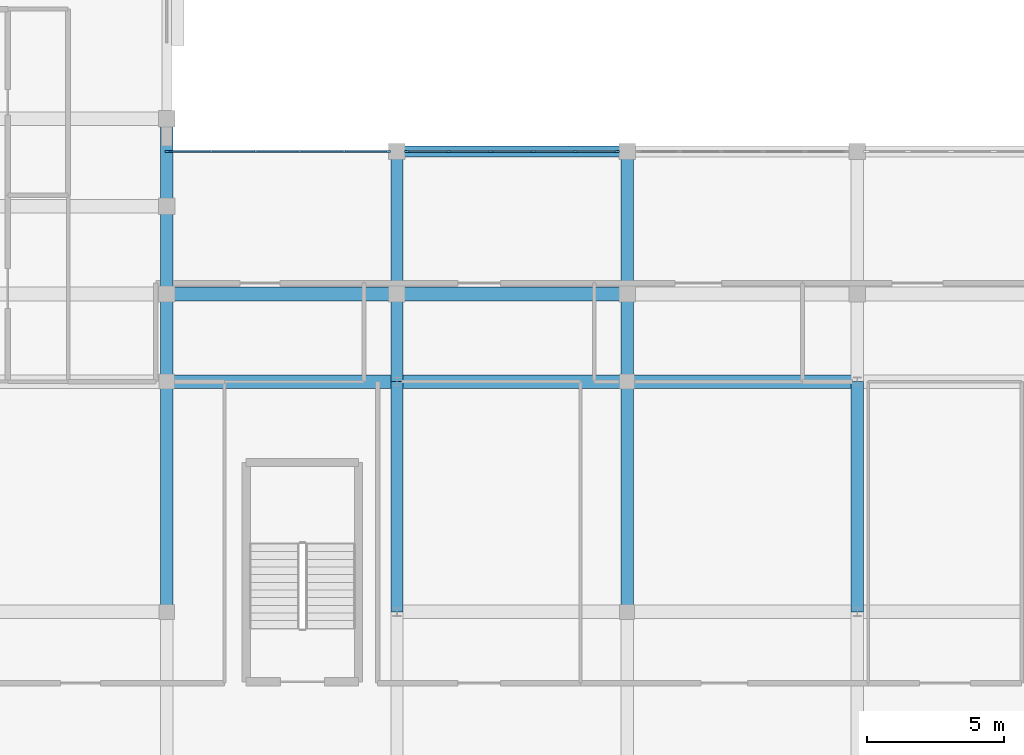
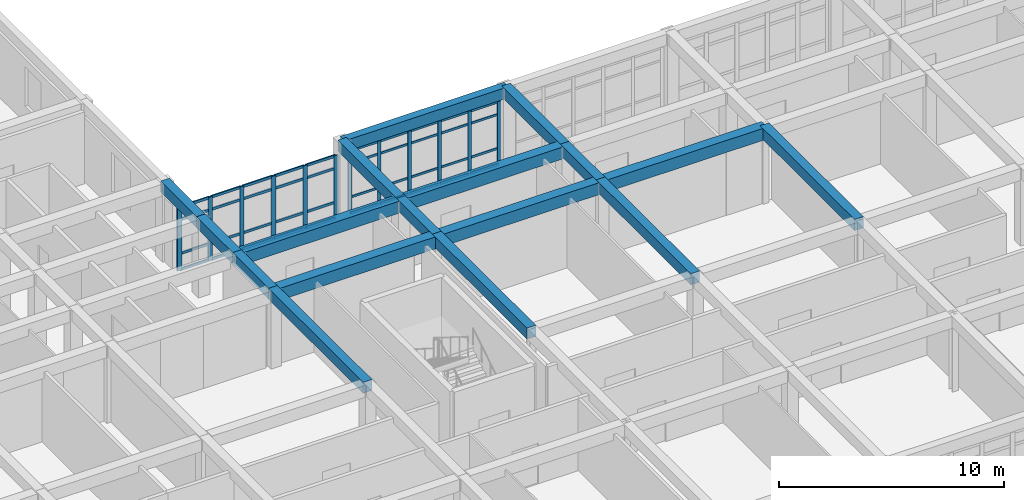
# One storey, part 20 of 77: 52 members, 17 beams, 2 elements without a shape of their own.
"""IFC4 building model written with IfcOpenShell, lengths in metres."""

from ifc_helpers import new_model, si_unit, direction, frame, origin, origin_2d, place, context, subcontext, project, spatial, rectangle, extrude, material, material_profile, profile_set, type_object, element, aggregate, save


model = new_model("IFC4")

# Units and contexts
model_context = context("Model", 3, precision=1e-05, world=origin(), true_north=direction((0.0, 1.0)))
body_context = subcontext(model_context, "Body", "Model", "MODEL_VIEW")
ifc_project = project(units=[si_unit("LENGTHUNIT", "METRE"), si_unit("AREAUNIT", "SQUARE_METRE"), si_unit("VOLUMEUNIT", "CUBIC_METRE"), si_unit("PLANEANGLEUNIT", "RADIAN"), si_unit("MASSUNIT", "GRAM", prefix="KILO")], contexts=[model_context])

# Site, building, storey
site_placement = place(None, origin())
site = spatial("IfcSite", under=ifc_project, at=site_placement, CompositionType="ELEMENT")
building_placement = place(site_placement, origin())
building = spatial("IfcBuilding", under=site, at=building_placement, Name="Varncliffe General Hospital", CompositionType="ELEMENT")
storey_placement = place(building_placement, frame((0.0, 0.0, 16.199951171875)))
storey = spatial("IfcBuildingStorey", under=building, at=storey_placement, Name="L03", CompositionType="ELEMENT", Elevation=16.199951171875)

# Beams
ifc_material_1 = material(Name="Concrete C35/45 (CSA A23.1 35 MPa)", Category="concrete")
ifc_material_profile_1 = material_profile(ifc_material_1, rectangle(XDim=0.5, YDim=0.64990234375, at=origin_2d()), Name="RC 500x650")
ifc_profile_set_1 = profile_set([ifc_material_profile_1], Name="Concrete C35/45 (CSA A23.1 35 MPa)")
beam_type_1 = type_object("IfcBeamType", Name="Beam B29 (Int RC 500x650)", PredefinedType="BEAM", material=ifc_profile_set_1)
beam_1_placement = place(storey_placement, frame((67.199951171875, 99.60009765625, 3.875), z_axis=(1.0, 0.0, 0.0), x_axis=(0.0, 1.0, 0.0)))
element("IfcBeam", 1, at=beam_1_placement, inside=storey, type_object=beam_type_1, Name="L03 Primary Beam B29-112", PredefinedType="BEAM", context=body_context, shape_type="SweptSolid", body=[
    extrude(rectangle(XDim=0.5, YDim=0.64990234375, at=origin_2d()), origin(), (0.0, 0.0, 1.0), 8.400146484375),
])
for number, where, z_axis, x_axis, name in (
    (2, (75.60009765625, 99.60009765625, 3.875), (1.0, 0.0, 0.0), (0.0, 1.0, 0.0), "L03 Primary Beam B29-113"),
    (3, (84.0, 99.60009765625, 3.875), (1.0, 0.0, 0.0), (0.0, 1.0, 0.0), "L03 Primary Beam B29-114"),
):
    element("IfcBeam", number, at=place(storey_placement, frame(where, z_axis=z_axis, x_axis=x_axis)), inside=storey, type_object=beam_type_1, Name=name, PredefinedType="BEAM", context=body_context, shape_type="SweptSolid", body=[
        extrude(rectangle(XDim=0.5, YDim=0.64990234375, at=origin_2d()), origin(), (0.0, 0.0, 1.0), 8.39990234375),
    ])
beam_2_placement = place(storey_placement, frame((67.199951171875, 102.800048828125, 3.875), z_axis=(1.0, 0.0, 0.0), x_axis=(0.0, 1.0, 0.0)))
element("IfcBeam", 4, at=beam_2_placement, inside=storey, type_object=beam_type_1, Name="L03 Primary Beam B29-133", PredefinedType="BEAM", context=body_context, shape_type="SweptSolid", body=[
    extrude(rectangle(XDim=0.5, YDim=0.64990234375, at=origin_2d()), origin(), (0.0, 0.0, 1.0), 8.400146484375),
])
beam_3_placement = place(storey_placement, frame((75.60009765625, 102.800048828125, 3.875), z_axis=(1.0, 0.0, 0.0), x_axis=(0.0, 1.0, 0.0)))
element("IfcBeam", 5, at=beam_3_placement, inside=storey, type_object=beam_type_1, Name="L03 Primary Beam B29-134", PredefinedType="BEAM", context=body_context, shape_type="SweptSolid", body=[
    extrude(rectangle(XDim=0.5, YDim=0.64990234375, at=origin_2d()), origin(), (0.0, 0.0, 1.0), 8.39990234375),
])
ifc_material_profile_2 = material_profile(ifc_material_1, rectangle(XDim=0.449951171875, YDim=0.60009765625, at=origin_2d()), Name="RC 450x600")
ifc_profile_set_2 = profile_set([ifc_material_profile_2], Name="Concrete C35/45 (CSA A23.1 35 MPa)")
beam_type_2 = type_object("IfcBeamType", Name="Beam B47 (Int RC 450x600)", PredefinedType="BEAM", material=ifc_profile_set_2)
beam_4_placement = place(storey_placement, frame((67.199951171875, 91.199951171875, 3.900146484375), z_axis=(0.0, 1.0, 0.0), x_axis=(-1.0, 0.0, 0.0)))
element("IfcBeam", 6, at=beam_4_placement, inside=storey, type_object=beam_type_2, Name="L03 Primary Beam B47-292", PredefinedType="BEAM", context=body_context, shape_type="SweptSolid", body=[
    extrude(rectangle(XDim=0.449951171875, YDim=0.60009765625, at=origin_2d()), origin(), (0.0, 0.0, 1.0), 8.400146484375),
])
for number, where, z_axis, x_axis, name in (
    (7, (67.199951171875, 99.60009765625, 3.900146484375), (0.0, 1.0, 0.0), (-1.0, 0.0, 0.0), "L03 Primary Beam B47-293"),
    (8, (67.199951171875, 102.800048828125, 3.900146484375), (0.0, 1.0, 0.0), (-1.0, 0.0, 0.0), "L03 Primary Beam B47-294"),
    (9, (67.199951171875, 106.0, 3.900146484375), (0.0, 1.0, 0.0), (-1.0, 0.0, 0.0), "L03 Primary Beam B47-295"),
):
    element("IfcBeam", number, at=place(storey_placement, frame(where, z_axis=z_axis, x_axis=x_axis)), inside=storey, type_object=beam_type_2, Name=name, PredefinedType="BEAM", context=body_context, shape_type="SweptSolid", body=[
        extrude(rectangle(XDim=0.449951171875, YDim=0.60009765625, at=origin_2d()), origin(), (0.0, 0.0, 1.0), 3.199951171875),
    ])
beam_5_placement = place(storey_placement, frame((75.60009765625, 91.199951171875, 3.900146484375), z_axis=(0.0, 1.0, 0.0), x_axis=(-1.0, 0.0, 0.0)))
element("IfcBeam", 10, at=beam_5_placement, inside=storey, type_object=beam_type_2, Name="L03 Primary Beam B47-300", PredefinedType="BEAM", context=body_context, shape_type="SweptSolid", body=[
    extrude(rectangle(XDim=0.449951171875, YDim=0.60009765625, at=origin_2d()), origin(), (0.0, 0.0, 1.0), 8.400146484375),
])
beam_6_placement = place(storey_placement, frame((75.60009765625, 99.60009765625, 3.900146484375), z_axis=(0.0, 1.0, 0.0), x_axis=(-1.0, 0.0, 0.0)))
element("IfcBeam", 11, at=beam_6_placement, inside=storey, type_object=beam_type_2, Name="L03 Primary Beam B47-301", PredefinedType="BEAM", context=body_context, shape_type="SweptSolid", body=[
    extrude(rectangle(XDim=0.449951171875, YDim=0.60009765625, at=origin_2d()), origin(), (0.0, 0.0, 1.0), 3.199951171875),
])
beam_7_placement = place(storey_placement, frame((75.60009765625, 102.800048828125, 3.900146484375), z_axis=(0.0, 1.0, 0.0), x_axis=(-1.0, 0.0, 0.0)))
element("IfcBeam", 12, at=beam_7_placement, inside=storey, type_object=beam_type_2, Name="L03 Primary Beam B47-302", PredefinedType="BEAM", context=body_context, shape_type="SweptSolid", body=[
    extrude(rectangle(XDim=0.449951171875, YDim=0.60009765625, at=origin_2d()), origin(), (0.0, 0.0, 1.0), 5.199951171875),
])
beam_8_placement = place(storey_placement, frame((84.0, 91.199951171875, 3.900146484375), z_axis=(0.0, 1.0, 0.0), x_axis=(-1.0, 0.0, 0.0)))
element("IfcBeam", 13, at=beam_8_placement, inside=storey, type_object=beam_type_2, Name="L03 Primary Beam B47-305", PredefinedType="BEAM", context=body_context, shape_type="SweptSolid", body=[
    extrude(rectangle(XDim=0.449951171875, YDim=0.60009765625, at=origin_2d()), origin(), (0.0, 0.0, 1.0), 8.400146484375),
])
beam_9_placement = place(storey_placement, frame((84.0, 99.60009765625, 3.900146484375), z_axis=(0.0, 1.0, 0.0), x_axis=(-1.0, 0.0, 0.0)))
element("IfcBeam", 14, at=beam_9_placement, inside=storey, type_object=beam_type_2, Name="L03 Primary Beam B47-306", PredefinedType="BEAM", context=body_context, shape_type="SweptSolid", body=[
    extrude(rectangle(XDim=0.449951171875, YDim=0.60009765625, at=origin_2d()), origin(), (0.0, 0.0, 1.0), 3.199951171875),
])
beam_10_placement = place(storey_placement, frame((84.0, 102.800048828125, 3.900146484375), z_axis=(0.0, 1.0, 0.0), x_axis=(-1.0, 0.0, 0.0)))
element("IfcBeam", 15, at=beam_10_placement, inside=storey, type_object=beam_type_2, Name="L03 Primary Beam B47-307", PredefinedType="BEAM", context=body_context, shape_type="SweptSolid", body=[
    extrude(rectangle(XDim=0.449951171875, YDim=0.60009765625, at=origin_2d()), origin(), (0.0, 0.0, 1.0), 5.199951171875),
])
beam_11_placement = place(storey_placement, frame((92.39990234375, 91.199951171875, 3.900146484375), z_axis=(0.0, 1.0, 0.0), x_axis=(-1.0, 0.0, 0.0)))
element("IfcBeam", 16, at=beam_11_placement, inside=storey, type_object=beam_type_2, Name="L03 Primary Beam B47-310", PredefinedType="BEAM", context=body_context, shape_type="SweptSolid", body=[
    extrude(rectangle(XDim=0.449951171875, YDim=0.60009765625, at=origin_2d()), origin(), (0.0, 0.0, 1.0), 8.400146484375),
])

# Curtain wall, members
ifc_material_2 = material(Name="Triple low-E argon insulated vision glazing", Category="glass")
curtain_wall_type_1 = type_object("IfcCurtainWallType", Name="Unitised Glazed Curtain Wall CW79 (7724x3440)", PredefinedType="USERDEFINED", material=ifc_material_2)
curtain_wall_1_placement = place(storey_placement, origin())
curtain_wall_1 = element("IfcCurtainWall", 17, at=curtain_wall_1_placement, inside=storey, type_object=curtain_wall_type_1, Name="L03 Glazed Curtain Wall CW79-154", ObjectType="GLAZED CURTAIN WALL", PredefinedType="USERDEFINED")
ifc_material_3 = material(Name="Dark bronze thermally broken aluminium framing", Category="aluminium")
ifc_material_profile_3 = material_profile(ifc_material_3, rectangle(XDim=0.074951171875, YDim=0.179931640625, at=origin_2d()), Name="ALU 75x180")
ifc_profile_set_3 = profile_set([ifc_material_profile_3], Name="Dark bronze thermally broken aluminium framing")
member_type_1 = type_object("IfcMemberType", Name="Curtain Wall Mullion CM44 (ALU 75x180)", PredefinedType="MULLION", material=ifc_profile_set_3)
member_1_placement = place(storey_placement, frame((75.9755859375, 108.0, 0.0), z_axis=(0.0, 0.0, 1.0), x_axis=(0.0, 1.0, 0.0)))
member_1 = element("IfcMember", 18, at=member_1_placement, type_object=member_type_1, Name="CW79 mullion 1", PredefinedType="MULLION", context=body_context, shape_type="SweptSolid", body=[
    extrude(rectangle(XDim=0.074951171875, YDim=0.179931640625, at=origin_2d()), origin(), (0.0, 0.0, 1.0), 3.43994140625),
])
member_2_placement = place(storey_placement, frame((77.48291015625, 108.0, 0.0), z_axis=(0.0, 0.0, 1.0), x_axis=(0.0, 1.0, 0.0)))
member_2 = element("IfcMember", 19, at=member_2_placement, type_object=member_type_1, Name="CW79 mullion 2", PredefinedType="MULLION", context=body_context, shape_type="SweptSolid", body=[
    extrude(rectangle(XDim=0.074951171875, YDim=0.179931640625, at=origin_2d()), origin(), (0.0, 0.0, 1.0), 3.43994140625),
])
member_3_placement = place(storey_placement, frame((79.027587890625, 108.0, 0.0), z_axis=(0.0, 0.0, 1.0), x_axis=(0.0, 1.0, 0.0)))
member_3 = element("IfcMember", 20, at=member_3_placement, type_object=member_type_1, Name="CW79 mullion 3", PredefinedType="MULLION", context=body_context, shape_type="SweptSolid", body=[
    extrude(rectangle(XDim=0.074951171875, YDim=0.179931640625, at=origin_2d()), origin(), (0.0, 0.0, 1.0), 3.43994140625),
])
member_4_placement = place(storey_placement, frame((80.572509765625, 108.0, 0.0), z_axis=(0.0, 0.0, 1.0), x_axis=(0.0, 1.0, 0.0)))
member_4 = element("IfcMember", 21, at=member_4_placement, type_object=member_type_1, Name="CW79 mullion 4", PredefinedType="MULLION", context=body_context, shape_type="SweptSolid", body=[
    extrude(rectangle(XDim=0.074951171875, YDim=0.179931640625, at=origin_2d()), origin(), (0.0, 0.0, 1.0), 3.43994140625),
])
member_5_placement = place(storey_placement, frame((82.1171875, 108.0, 0.0), z_axis=(0.0, 0.0, 1.0), x_axis=(0.0, 1.0, 0.0)))
member_5 = element("IfcMember", 22, at=member_5_placement, type_object=member_type_1, Name="CW79 mullion 5", PredefinedType="MULLION", context=body_context, shape_type="SweptSolid", body=[
    extrude(rectangle(XDim=0.074951171875, YDim=0.179931640625, at=origin_2d()), origin(), (0.0, 0.0, 1.0), 3.43994140625),
])
member_6_placement = place(storey_placement, frame((83.62451171875, 108.0, 0.0), z_axis=(0.0, 0.0, 1.0), x_axis=(0.0, 1.0, 0.0)))
member_6 = element("IfcMember", 23, at=member_6_placement, type_object=member_type_1, Name="CW79 mullion 6", PredefinedType="MULLION", context=body_context, shape_type="SweptSolid", body=[
    extrude(rectangle(XDim=0.074951171875, YDim=0.179931640625, at=origin_2d()), origin(), (0.0, 0.0, 1.0), 3.43994140625),
])

curtain_wall_type_2 = type_object("IfcCurtainWallType", Name="Unitised Glazed Curtain Wall CW29 (8102x3440)", PredefinedType="USERDEFINED", material=ifc_material_2)
curtain_wall_2_placement = place(storey_placement, origin())
curtain_wall_2 = element("IfcCurtainWall", 24, at=curtain_wall_2_placement, inside=storey, type_object=curtain_wall_type_2, Name="L03 Glazed Curtain Wall CW29-153", ObjectType="GLAZED CURTAIN WALL", PredefinedType="USERDEFINED")
ifc_material_profile_4 = material_profile(ifc_material_3, rectangle(XDim=0.074951171875, YDim=0.219970703125, at=origin_2d()), Name="ALU 75x220")
ifc_profile_set_4 = profile_set([ifc_material_profile_4], Name="Dark bronze thermally broken aluminium framing")
member_type_2 = type_object("IfcMemberType", Name="Curtain Wall Mullion CM74 (ALU 75x220)", PredefinedType="MULLION", material=ifc_profile_set_4)
member_7_placement = place(storey_placement, frame((67.237548828125, 108.0, 0.0), z_axis=(0.0, 0.0, 1.0), x_axis=(0.0, 1.0, 0.0)))
member_7 = element("IfcMember", 25, at=member_7_placement, type_object=member_type_2, Name="CW29 mullion 1", PredefinedType="MULLION", context=body_context, shape_type="SweptSolid", body=[
    extrude(rectangle(XDim=0.074951171875, YDim=0.219970703125, at=origin_2d()), origin(), (0.0, 0.0, 1.0), 3.43994140625),
])
member_8_placement = place(storey_placement, frame((68.8203125, 108.0, 0.0), z_axis=(0.0, 0.0, 1.0), x_axis=(0.0, 1.0, 0.0)))
member_8 = element("IfcMember", 26, at=member_8_placement, type_object=member_type_2, Name="CW29 mullion 2", PredefinedType="MULLION", context=body_context, shape_type="SweptSolid", body=[
    extrude(rectangle(XDim=0.074951171875, YDim=0.219970703125, at=origin_2d()), origin(), (0.0, 0.0, 1.0), 3.43994140625),
])
member_9_placement = place(storey_placement, frame((70.44091796875, 108.0, 0.0), z_axis=(0.0, 0.0, 1.0), x_axis=(0.0, 1.0, 0.0)))
member_9 = element("IfcMember", 27, at=member_9_placement, type_object=member_type_2, Name="CW29 mullion 3", PredefinedType="MULLION", context=body_context, shape_type="SweptSolid", body=[
    extrude(rectangle(XDim=0.074951171875, YDim=0.219970703125, at=origin_2d()), origin(), (0.0, 0.0, 1.0), 3.43994140625),
])
member_10_placement = place(storey_placement, frame((72.061279296875, 108.0, 0.0), z_axis=(0.0, 0.0, 1.0), x_axis=(0.0, 1.0, 0.0)))
member_10 = element("IfcMember", 28, at=member_10_placement, type_object=member_type_2, Name="CW29 mullion 4", PredefinedType="MULLION", context=body_context, shape_type="SweptSolid", body=[
    extrude(rectangle(XDim=0.074951171875, YDim=0.219970703125, at=origin_2d()), origin(), (0.0, 0.0, 1.0), 3.43994140625),
])
member_11_placement = place(storey_placement, frame((73.681640625, 108.0, 0.0), z_axis=(0.0, 0.0, 1.0), x_axis=(0.0, 1.0, 0.0)))
member_11 = element("IfcMember", 29, at=member_11_placement, type_object=member_type_2, Name="CW29 mullion 5", PredefinedType="MULLION", context=body_context, shape_type="SweptSolid", body=[
    extrude(rectangle(XDim=0.074951171875, YDim=0.219970703125, at=origin_2d()), origin(), (0.0, 0.0, 1.0), 3.43994140625),
])
member_12_placement = place(storey_placement, frame((75.264404296875, 108.0, 0.0), z_axis=(0.0, 0.0, 1.0), x_axis=(0.0, 1.0, 0.0)))
member_12 = element("IfcMember", 30, at=member_12_placement, type_object=member_type_2, Name="CW29 mullion 6", PredefinedType="MULLION", context=body_context, shape_type="SweptSolid", body=[
    extrude(rectangle(XDim=0.074951171875, YDim=0.219970703125, at=origin_2d()), origin(), (0.0, 0.0, 1.0), 3.43994140625),
])

# Member
ifc_material_profile_5 = material_profile(ifc_material_3, rectangle(XDim=0.06005859375, YDim=0.1201171875, at=origin_2d()), Name="ALU 60x120")
ifc_profile_set_5 = profile_set([ifc_material_profile_5], Name="Dark bronze thermally broken aluminium framing")
member_type_3 = type_object("IfcMemberType", Name="Curtain Wall Transom CT14 (ALU 60x120)", PredefinedType="USERDEFINED", material=ifc_profile_set_5)
member_13_placement = place(storey_placement, frame((76.012939453125, 108.0, 0.030029296875), z_axis=(1.0, 0.0, 0.0), x_axis=(0.0, 1.0, 0.0)))
member_13 = element("IfcMember", 31, at=member_13_placement, type_object=member_type_3, Name="CW79 transom 1.1", ObjectType="TRANSOM", PredefinedType="USERDEFINED", context=body_context, shape_type="SweptSolid", body=[
    extrude(rectangle(XDim=0.06005859375, YDim=0.1201171875, at=origin_2d()), origin(), (0.0, 0.0, 1.0), 1.432373046875),
])

member_14_placement = place(storey_placement, frame((76.012939453125, 108.0, 0.900146484375), z_axis=(1.0, 0.0, 0.0), x_axis=(0.0, 1.0, 0.0)))
member_14 = element("IfcMember", 32, at=member_14_placement, type_object=member_type_3, Name="CW79 transom 1.2", ObjectType="TRANSOM", PredefinedType="USERDEFINED", context=body_context, shape_type="SweptSolid", body=[
    extrude(rectangle(XDim=0.06005859375, YDim=0.1201171875, at=origin_2d()), origin(), (0.0, 0.0, 1.0), 1.432373046875),
])

member_15_placement = place(storey_placement, frame((76.012939453125, 108.0, 2.739990234375), z_axis=(1.0, 0.0, 0.0), x_axis=(0.0, 1.0, 0.0)))
member_15 = element("IfcMember", 33, at=member_15_placement, type_object=member_type_3, Name="CW79 transom 1.3", ObjectType="TRANSOM", PredefinedType="USERDEFINED", context=body_context, shape_type="SweptSolid", body=[
    extrude(rectangle(XDim=0.06005859375, YDim=0.1201171875, at=origin_2d()), origin(), (0.0, 0.0, 1.0), 1.432373046875),
])

member_16_placement = place(storey_placement, frame((76.012939453125, 108.0, 3.41015625), z_axis=(1.0, 0.0, 0.0), x_axis=(0.0, 1.0, 0.0)))
member_16 = element("IfcMember", 34, at=member_16_placement, type_object=member_type_3, Name="CW79 transom 1.4", ObjectType="TRANSOM", PredefinedType="USERDEFINED", context=body_context, shape_type="SweptSolid", body=[
    extrude(rectangle(XDim=0.06005859375, YDim=0.1201171875, at=origin_2d()), origin(), (0.0, 0.0, 1.0), 1.432373046875),
])

member_17_placement = place(storey_placement, frame((77.520263671875, 108.0, 0.030029296875), z_axis=(1.0, 0.0, 0.0), x_axis=(0.0, 1.0, 0.0)))
member_17 = element("IfcMember", 35, at=member_17_placement, type_object=member_type_3, Name="CW79 transom 2.1", ObjectType="TRANSOM", PredefinedType="USERDEFINED", context=body_context, shape_type="SweptSolid", body=[
    extrude(rectangle(XDim=0.06005859375, YDim=0.1201171875, at=origin_2d()), origin(), (0.0, 0.0, 1.0), 1.4697265625),
])

member_18_placement = place(storey_placement, frame((77.520263671875, 108.0, 0.900146484375), z_axis=(1.0, 0.0, 0.0), x_axis=(0.0, 1.0, 0.0)))
member_18 = element("IfcMember", 36, at=member_18_placement, type_object=member_type_3, Name="CW79 transom 2.2", ObjectType="TRANSOM", PredefinedType="USERDEFINED", context=body_context, shape_type="SweptSolid", body=[
    extrude(rectangle(XDim=0.06005859375, YDim=0.1201171875, at=origin_2d()), origin(), (0.0, 0.0, 1.0), 1.4697265625),
])

member_19_placement = place(storey_placement, frame((77.520263671875, 108.0, 2.739990234375), z_axis=(1.0, 0.0, 0.0), x_axis=(0.0, 1.0, 0.0)))
member_19 = element("IfcMember", 37, at=member_19_placement, type_object=member_type_3, Name="CW79 transom 2.3", ObjectType="TRANSOM", PredefinedType="USERDEFINED", context=body_context, shape_type="SweptSolid", body=[
    extrude(rectangle(XDim=0.06005859375, YDim=0.1201171875, at=origin_2d()), origin(), (0.0, 0.0, 1.0), 1.4697265625),
])

member_20_placement = place(storey_placement, frame((77.520263671875, 108.0, 3.41015625), z_axis=(1.0, 0.0, 0.0), x_axis=(0.0, 1.0, 0.0)))
member_20 = element("IfcMember", 38, at=member_20_placement, type_object=member_type_3, Name="CW79 transom 2.4", ObjectType="TRANSOM", PredefinedType="USERDEFINED", context=body_context, shape_type="SweptSolid", body=[
    extrude(rectangle(XDim=0.06005859375, YDim=0.1201171875, at=origin_2d()), origin(), (0.0, 0.0, 1.0), 1.4697265625),
])

member_21_placement = place(storey_placement, frame((79.065185546875, 108.0, 0.030029296875), z_axis=(1.0, 0.0, 0.0), x_axis=(0.0, 1.0, 0.0)))
member_21 = element("IfcMember", 39, at=member_21_placement, type_object=member_type_3, Name="CW79 transom 3.1", ObjectType="TRANSOM", PredefinedType="USERDEFINED", context=body_context, shape_type="SweptSolid", body=[
    extrude(rectangle(XDim=0.06005859375, YDim=0.1201171875, at=origin_2d()), origin(), (0.0, 0.0, 1.0), 1.4697265625),
])

member_22_placement = place(storey_placement, frame((79.065185546875, 108.0, 0.900146484375), z_axis=(1.0, 0.0, 0.0), x_axis=(0.0, 1.0, 0.0)))
member_22 = element("IfcMember", 40, at=member_22_placement, type_object=member_type_3, Name="CW79 transom 3.2", ObjectType="TRANSOM", PredefinedType="USERDEFINED", context=body_context, shape_type="SweptSolid", body=[
    extrude(rectangle(XDim=0.06005859375, YDim=0.1201171875, at=origin_2d()), origin(), (0.0, 0.0, 1.0), 1.4697265625),
])

member_23_placement = place(storey_placement, frame((79.065185546875, 108.0, 2.739990234375), z_axis=(1.0, 0.0, 0.0), x_axis=(0.0, 1.0, 0.0)))
member_23 = element("IfcMember", 41, at=member_23_placement, type_object=member_type_3, Name="CW79 transom 3.3", ObjectType="TRANSOM", PredefinedType="USERDEFINED", context=body_context, shape_type="SweptSolid", body=[
    extrude(rectangle(XDim=0.06005859375, YDim=0.1201171875, at=origin_2d()), origin(), (0.0, 0.0, 1.0), 1.4697265625),
])

member_24_placement = place(storey_placement, frame((79.065185546875, 108.0, 3.41015625), z_axis=(1.0, 0.0, 0.0), x_axis=(0.0, 1.0, 0.0)))
member_24 = element("IfcMember", 42, at=member_24_placement, type_object=member_type_3, Name="CW79 transom 3.4", ObjectType="TRANSOM", PredefinedType="USERDEFINED", context=body_context, shape_type="SweptSolid", body=[
    extrude(rectangle(XDim=0.06005859375, YDim=0.1201171875, at=origin_2d()), origin(), (0.0, 0.0, 1.0), 1.4697265625),
])

member_25_placement = place(storey_placement, frame((80.60986328125, 108.0, 0.030029296875), z_axis=(1.0, 0.0, 0.0), x_axis=(0.0, 1.0, 0.0)))
member_25 = element("IfcMember", 43, at=member_25_placement, type_object=member_type_3, Name="CW79 transom 4.1", ObjectType="TRANSOM", PredefinedType="USERDEFINED", context=body_context, shape_type="SweptSolid", body=[
    extrude(rectangle(XDim=0.06005859375, YDim=0.1201171875, at=origin_2d()), origin(), (0.0, 0.0, 1.0), 1.4697265625),
])

member_26_placement = place(storey_placement, frame((80.60986328125, 108.0, 0.900146484375), z_axis=(1.0, 0.0, 0.0), x_axis=(0.0, 1.0, 0.0)))
member_26 = element("IfcMember", 44, at=member_26_placement, type_object=member_type_3, Name="CW79 transom 4.2", ObjectType="TRANSOM", PredefinedType="USERDEFINED", context=body_context, shape_type="SweptSolid", body=[
    extrude(rectangle(XDim=0.06005859375, YDim=0.1201171875, at=origin_2d()), origin(), (0.0, 0.0, 1.0), 1.4697265625),
])

member_27_placement = place(storey_placement, frame((80.60986328125, 108.0, 2.739990234375), z_axis=(1.0, 0.0, 0.0), x_axis=(0.0, 1.0, 0.0)))
member_27 = element("IfcMember", 45, at=member_27_placement, type_object=member_type_3, Name="CW79 transom 4.3", ObjectType="TRANSOM", PredefinedType="USERDEFINED", context=body_context, shape_type="SweptSolid", body=[
    extrude(rectangle(XDim=0.06005859375, YDim=0.1201171875, at=origin_2d()), origin(), (0.0, 0.0, 1.0), 1.4697265625),
])

member_28_placement = place(storey_placement, frame((80.60986328125, 108.0, 3.41015625), z_axis=(1.0, 0.0, 0.0), x_axis=(0.0, 1.0, 0.0)))
member_28 = element("IfcMember", 46, at=member_28_placement, type_object=member_type_3, Name="CW79 transom 4.4", ObjectType="TRANSOM", PredefinedType="USERDEFINED", context=body_context, shape_type="SweptSolid", body=[
    extrude(rectangle(XDim=0.06005859375, YDim=0.1201171875, at=origin_2d()), origin(), (0.0, 0.0, 1.0), 1.4697265625),
])

member_29_placement = place(storey_placement, frame((82.15478515625, 108.0, 0.030029296875), z_axis=(1.0, 0.0, 0.0), x_axis=(0.0, 1.0, 0.0)))
member_29 = element("IfcMember", 47, at=member_29_placement, type_object=member_type_3, Name="CW79 transom 5.1", ObjectType="TRANSOM", PredefinedType="USERDEFINED", context=body_context, shape_type="SweptSolid", body=[
    extrude(rectangle(XDim=0.06005859375, YDim=0.1201171875, at=origin_2d()), origin(), (0.0, 0.0, 1.0), 1.43212890625),
])

member_30_placement = place(storey_placement, frame((82.15478515625, 108.0, 0.900146484375), z_axis=(1.0, 0.0, 0.0), x_axis=(0.0, 1.0, 0.0)))
member_30 = element("IfcMember", 48, at=member_30_placement, type_object=member_type_3, Name="CW79 transom 5.2", ObjectType="TRANSOM", PredefinedType="USERDEFINED", context=body_context, shape_type="SweptSolid", body=[
    extrude(rectangle(XDim=0.06005859375, YDim=0.1201171875, at=origin_2d()), origin(), (0.0, 0.0, 1.0), 1.43212890625),
])

member_31_placement = place(storey_placement, frame((82.15478515625, 108.0, 2.739990234375), z_axis=(1.0, 0.0, 0.0), x_axis=(0.0, 1.0, 0.0)))
member_31 = element("IfcMember", 49, at=member_31_placement, type_object=member_type_3, Name="CW79 transom 5.3", ObjectType="TRANSOM", PredefinedType="USERDEFINED", context=body_context, shape_type="SweptSolid", body=[
    extrude(rectangle(XDim=0.06005859375, YDim=0.1201171875, at=origin_2d()), origin(), (0.0, 0.0, 1.0), 1.43212890625),
])

member_32_placement = place(storey_placement, frame((82.15478515625, 108.0, 3.41015625), z_axis=(1.0, 0.0, 0.0), x_axis=(0.0, 1.0, 0.0)))
member_32 = element("IfcMember", 50, at=member_32_placement, type_object=member_type_3, Name="CW79 transom 5.4", ObjectType="TRANSOM", PredefinedType="USERDEFINED", context=body_context, shape_type="SweptSolid", body=[
    extrude(rectangle(XDim=0.06005859375, YDim=0.1201171875, at=origin_2d()), origin(), (0.0, 0.0, 1.0), 1.43212890625),
])

aggregate(curtain_wall_1, [member_1, member_2, member_3, member_4, member_5, member_6, member_13, member_14, member_15, member_16, member_17, member_18, member_19, member_20, member_21, member_22, member_23, member_24, member_25, member_26, member_27, member_28, member_29, member_30, member_31, member_32])

ifc_material_profile_6 = material_profile(ifc_material_3, rectangle(XDim=0.06494140625, YDim=0.139892578125, at=origin_2d()), Name="ALU 65x140")
ifc_profile_set_6 = profile_set([ifc_material_profile_6], Name="Dark bronze thermally broken aluminium framing")
member_type_4 = type_object("IfcMemberType", Name="Curtain Wall Transom CT69 (ALU 65x140)", PredefinedType="USERDEFINED", material=ifc_profile_set_6)
member_33_placement = place(storey_placement, frame((67.27490234375, 108.0, 0.032470703125), z_axis=(1.0, 0.0, 0.0), x_axis=(0.0, 1.0, 0.0)))
member_33 = element("IfcMember", 51, at=member_33_placement, type_object=member_type_4, Name="CW29 transom 1.1", ObjectType="TRANSOM", PredefinedType="USERDEFINED", context=body_context, shape_type="SweptSolid", body=[
    extrude(rectangle(XDim=0.06494140625, YDim=0.139892578125, at=origin_2d()), origin(), (0.0, 0.0, 1.0), 1.508056640625),
])

member_34_placement = place(storey_placement, frame((67.27490234375, 108.0, 0.900146484375), z_axis=(1.0, 0.0, 0.0), x_axis=(0.0, 1.0, 0.0)))
member_34 = element("IfcMember", 52, at=member_34_placement, type_object=member_type_4, Name="CW29 transom 1.2", ObjectType="TRANSOM", PredefinedType="USERDEFINED", context=body_context, shape_type="SweptSolid", body=[
    extrude(rectangle(XDim=0.06494140625, YDim=0.139892578125, at=origin_2d()), origin(), (0.0, 0.0, 1.0), 1.508056640625),
])

member_35_placement = place(storey_placement, frame((67.27490234375, 108.0, 2.739990234375), z_axis=(1.0, 0.0, 0.0), x_axis=(0.0, 1.0, 0.0)))
member_35 = element("IfcMember", 53, at=member_35_placement, type_object=member_type_4, Name="CW29 transom 1.3", ObjectType="TRANSOM", PredefinedType="USERDEFINED", context=body_context, shape_type="SweptSolid", body=[
    extrude(rectangle(XDim=0.06494140625, YDim=0.139892578125, at=origin_2d()), origin(), (0.0, 0.0, 1.0), 1.508056640625),
])

member_36_placement = place(storey_placement, frame((67.27490234375, 108.0, 3.407470703125), z_axis=(1.0, 0.0, 0.0), x_axis=(0.0, 1.0, 0.0)))
member_36 = element("IfcMember", 54, at=member_36_placement, type_object=member_type_4, Name="CW29 transom 1.4", ObjectType="TRANSOM", PredefinedType="USERDEFINED", context=body_context, shape_type="SweptSolid", body=[
    extrude(rectangle(XDim=0.06494140625, YDim=0.139892578125, at=origin_2d()), origin(), (0.0, 0.0, 1.0), 1.508056640625),
])

member_37_placement = place(storey_placement, frame((68.85791015625, 108.0, 0.032470703125), z_axis=(1.0, 0.0, 0.0), x_axis=(0.0, 1.0, 0.0)))
member_37 = element("IfcMember", 55, at=member_37_placement, type_object=member_type_4, Name="CW29 transom 2.1", ObjectType="TRANSOM", PredefinedType="USERDEFINED", context=body_context, shape_type="SweptSolid", body=[
    extrude(rectangle(XDim=0.06494140625, YDim=0.139892578125, at=origin_2d()), origin(), (0.0, 0.0, 1.0), 1.54541015625),
])

member_38_placement = place(storey_placement, frame((68.85791015625, 108.0, 0.900146484375), z_axis=(1.0, 0.0, 0.0), x_axis=(0.0, 1.0, 0.0)))
member_38 = element("IfcMember", 56, at=member_38_placement, type_object=member_type_4, Name="CW29 transom 2.2", ObjectType="TRANSOM", PredefinedType="USERDEFINED", context=body_context, shape_type="SweptSolid", body=[
    extrude(rectangle(XDim=0.06494140625, YDim=0.139892578125, at=origin_2d()), origin(), (0.0, 0.0, 1.0), 1.54541015625),
])

member_39_placement = place(storey_placement, frame((68.85791015625, 108.0, 2.739990234375), z_axis=(1.0, 0.0, 0.0), x_axis=(0.0, 1.0, 0.0)))
member_39 = element("IfcMember", 57, at=member_39_placement, type_object=member_type_4, Name="CW29 transom 2.3", ObjectType="TRANSOM", PredefinedType="USERDEFINED", context=body_context, shape_type="SweptSolid", body=[
    extrude(rectangle(XDim=0.06494140625, YDim=0.139892578125, at=origin_2d()), origin(), (0.0, 0.0, 1.0), 1.54541015625),
])

member_40_placement = place(storey_placement, frame((68.85791015625, 108.0, 3.407470703125), z_axis=(1.0, 0.0, 0.0), x_axis=(0.0, 1.0, 0.0)))
member_40 = element("IfcMember", 58, at=member_40_placement, type_object=member_type_4, Name="CW29 transom 2.4", ObjectType="TRANSOM", PredefinedType="USERDEFINED", context=body_context, shape_type="SweptSolid", body=[
    extrude(rectangle(XDim=0.06494140625, YDim=0.139892578125, at=origin_2d()), origin(), (0.0, 0.0, 1.0), 1.54541015625),
])

member_41_placement = place(storey_placement, frame((70.478271484375, 108.0, 0.032470703125), z_axis=(1.0, 0.0, 0.0), x_axis=(0.0, 1.0, 0.0)))
member_41 = element("IfcMember", 59, at=member_41_placement, type_object=member_type_4, Name="CW29 transom 3.1", ObjectType="TRANSOM", PredefinedType="USERDEFINED", context=body_context, shape_type="SweptSolid", body=[
    extrude(rectangle(XDim=0.06494140625, YDim=0.139892578125, at=origin_2d()), origin(), (0.0, 0.0, 1.0), 1.54541015625),
])

member_42_placement = place(storey_placement, frame((70.478271484375, 108.0, 0.900146484375), z_axis=(1.0, 0.0, 0.0), x_axis=(0.0, 1.0, 0.0)))
member_42 = element("IfcMember", 60, at=member_42_placement, type_object=member_type_4, Name="CW29 transom 3.2", ObjectType="TRANSOM", PredefinedType="USERDEFINED", context=body_context, shape_type="SweptSolid", body=[
    extrude(rectangle(XDim=0.06494140625, YDim=0.139892578125, at=origin_2d()), origin(), (0.0, 0.0, 1.0), 1.54541015625),
])

member_43_placement = place(storey_placement, frame((70.478271484375, 108.0, 2.739990234375), z_axis=(1.0, 0.0, 0.0), x_axis=(0.0, 1.0, 0.0)))
member_43 = element("IfcMember", 61, at=member_43_placement, type_object=member_type_4, Name="CW29 transom 3.3", ObjectType="TRANSOM", PredefinedType="USERDEFINED", context=body_context, shape_type="SweptSolid", body=[
    extrude(rectangle(XDim=0.06494140625, YDim=0.139892578125, at=origin_2d()), origin(), (0.0, 0.0, 1.0), 1.54541015625),
])

member_44_placement = place(storey_placement, frame((70.478271484375, 108.0, 3.407470703125), z_axis=(1.0, 0.0, 0.0), x_axis=(0.0, 1.0, 0.0)))
member_44 = element("IfcMember", 62, at=member_44_placement, type_object=member_type_4, Name="CW29 transom 3.4", ObjectType="TRANSOM", PredefinedType="USERDEFINED", context=body_context, shape_type="SweptSolid", body=[
    extrude(rectangle(XDim=0.06494140625, YDim=0.139892578125, at=origin_2d()), origin(), (0.0, 0.0, 1.0), 1.54541015625),
])

member_45_placement = place(storey_placement, frame((72.0986328125, 108.0, 0.032470703125), z_axis=(1.0, 0.0, 0.0), x_axis=(0.0, 1.0, 0.0)))
member_45 = element("IfcMember", 63, at=member_45_placement, type_object=member_type_4, Name="CW29 transom 4.1", ObjectType="TRANSOM", PredefinedType="USERDEFINED", context=body_context, shape_type="SweptSolid", body=[
    extrude(rectangle(XDim=0.06494140625, YDim=0.139892578125, at=origin_2d()), origin(), (0.0, 0.0, 1.0), 1.54541015625),
])

member_46_placement = place(storey_placement, frame((72.0986328125, 108.0, 0.900146484375), z_axis=(1.0, 0.0, 0.0), x_axis=(0.0, 1.0, 0.0)))
member_46 = element("IfcMember", 64, at=member_46_placement, type_object=member_type_4, Name="CW29 transom 4.2", ObjectType="TRANSOM", PredefinedType="USERDEFINED", context=body_context, shape_type="SweptSolid", body=[
    extrude(rectangle(XDim=0.06494140625, YDim=0.139892578125, at=origin_2d()), origin(), (0.0, 0.0, 1.0), 1.54541015625),
])

member_47_placement = place(storey_placement, frame((72.0986328125, 108.0, 2.739990234375), z_axis=(1.0, 0.0, 0.0), x_axis=(0.0, 1.0, 0.0)))
member_47 = element("IfcMember", 65, at=member_47_placement, type_object=member_type_4, Name="CW29 transom 4.3", ObjectType="TRANSOM", PredefinedType="USERDEFINED", context=body_context, shape_type="SweptSolid", body=[
    extrude(rectangle(XDim=0.06494140625, YDim=0.139892578125, at=origin_2d()), origin(), (0.0, 0.0, 1.0), 1.54541015625),
])

member_48_placement = place(storey_placement, frame((72.0986328125, 108.0, 3.407470703125), z_axis=(1.0, 0.0, 0.0), x_axis=(0.0, 1.0, 0.0)))
member_48 = element("IfcMember", 66, at=member_48_placement, type_object=member_type_4, Name="CW29 transom 4.4", ObjectType="TRANSOM", PredefinedType="USERDEFINED", context=body_context, shape_type="SweptSolid", body=[
    extrude(rectangle(XDim=0.06494140625, YDim=0.139892578125, at=origin_2d()), origin(), (0.0, 0.0, 1.0), 1.54541015625),
])

member_49_placement = place(storey_placement, frame((73.718994140625, 108.0, 0.032470703125), z_axis=(1.0, 0.0, 0.0), x_axis=(0.0, 1.0, 0.0)))
member_49 = element("IfcMember", 67, at=member_49_placement, type_object=member_type_4, Name="CW29 transom 5.1", ObjectType="TRANSOM", PredefinedType="USERDEFINED", context=body_context, shape_type="SweptSolid", body=[
    extrude(rectangle(XDim=0.06494140625, YDim=0.139892578125, at=origin_2d()), origin(), (0.0, 0.0, 1.0), 1.508056640625),
])

member_50_placement = place(storey_placement, frame((73.718994140625, 108.0, 0.900146484375), z_axis=(1.0, 0.0, 0.0), x_axis=(0.0, 1.0, 0.0)))
member_50 = element("IfcMember", 68, at=member_50_placement, type_object=member_type_4, Name="CW29 transom 5.2", ObjectType="TRANSOM", PredefinedType="USERDEFINED", context=body_context, shape_type="SweptSolid", body=[
    extrude(rectangle(XDim=0.06494140625, YDim=0.139892578125, at=origin_2d()), origin(), (0.0, 0.0, 1.0), 1.508056640625),
])

member_51_placement = place(storey_placement, frame((73.718994140625, 108.0, 2.739990234375), z_axis=(1.0, 0.0, 0.0), x_axis=(0.0, 1.0, 0.0)))
member_51 = element("IfcMember", 69, at=member_51_placement, type_object=member_type_4, Name="CW29 transom 5.3", ObjectType="TRANSOM", PredefinedType="USERDEFINED", context=body_context, shape_type="SweptSolid", body=[
    extrude(rectangle(XDim=0.06494140625, YDim=0.139892578125, at=origin_2d()), origin(), (0.0, 0.0, 1.0), 1.508056640625),
])

member_52_placement = place(storey_placement, frame((73.718994140625, 108.0, 3.407470703125), z_axis=(1.0, 0.0, 0.0), x_axis=(0.0, 1.0, 0.0)))
member_52 = element("IfcMember", 70, at=member_52_placement, type_object=member_type_4, Name="CW29 transom 5.4", ObjectType="TRANSOM", PredefinedType="USERDEFINED", context=body_context, shape_type="SweptSolid", body=[
    extrude(rectangle(XDim=0.06494140625, YDim=0.139892578125, at=origin_2d()), origin(), (0.0, 0.0, 1.0), 1.508056640625),
])

aggregate(curtain_wall_2, [member_7, member_8, member_9, member_10, member_11, member_12, member_33, member_34, member_35, member_36, member_37, member_38, member_39, member_40, member_41, member_42, member_43, member_44, member_45, member_46, member_47, member_48, member_49, member_50, member_51, member_52])

# Beam
ifc_material_profile_7 = material_profile(ifc_material_1, rectangle(XDim=0.39990234375, YDim=0.60009765625, at=origin_2d()), Name="RC 400x600")
ifc_profile_set_7 = profile_set([ifc_material_profile_7], Name="Concrete C35/45 (CSA A23.1 35 MPa)")
beam_type_3 = type_object("IfcBeamType", Name="Spandrel SP58 (Ext RC 400x600B)", PredefinedType="SPANDREL", material=ifc_profile_set_7)
beam_12_placement = place(storey_placement, frame((75.60009765625, 108.0, 3.900146484375), z_axis=(1.0, 0.0, 0.0), x_axis=(0.0, 1.0, 0.0)))
element("IfcBeam", 71, at=beam_12_placement, inside=storey, type_object=beam_type_3, Name="L03 Spandrel Beam SP58-162", PredefinedType="SPANDREL", context=body_context, shape_type="SweptSolid", body=[
    extrude(rectangle(XDim=0.39990234375, YDim=0.60009765625, at=origin_2d()), origin(), (0.0, 0.0, 1.0), 8.39990234375),
])

save(model, "model.ifc")
